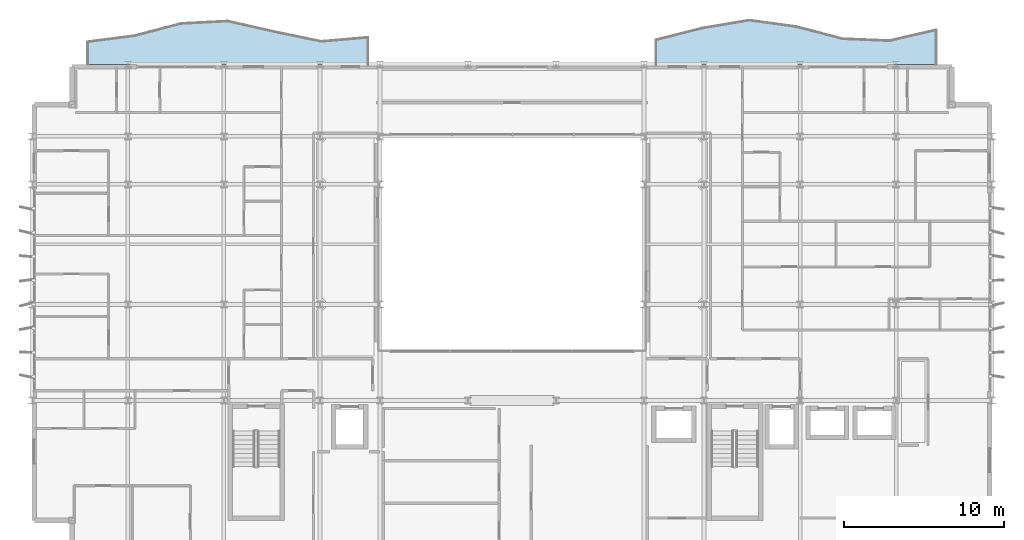
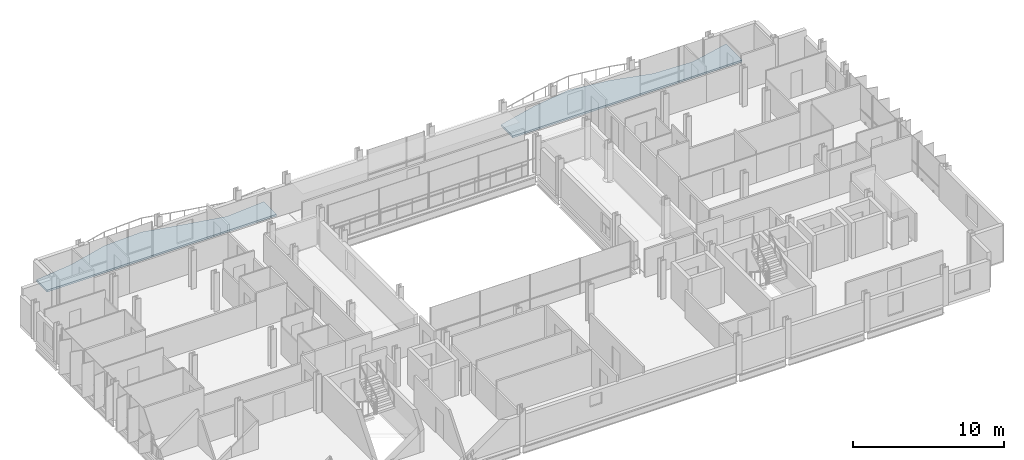
# One storey, part 27 of 38: 2 slabs.
"""IFC4 building model written with IfcOpenShell, lengths in metres."""

from ifc_helpers import new_model, si_unit, direction, frame, origin, place, context, subcontext, project, spatial, polyline, outline, extrude, material, layer, layer_set, type_object, element, save


model = new_model("IFC4")

# Units and contexts
model_context = context("Model", 3, precision=1e-05, world=origin(), true_north=direction((0.0, 1.0)))
body_context = subcontext(model_context, "Body", "Model", "MODEL_VIEW")
ifc_project = project(units=[si_unit("LENGTHUNIT", "METRE"), si_unit("AREAUNIT", "SQUARE_METRE"), si_unit("VOLUMEUNIT", "CUBIC_METRE"), si_unit("PLANEANGLEUNIT", "RADIAN"), si_unit("MASSUNIT", "GRAM", prefix="KILO")], contexts=[model_context])

# Site, building, storey
site_placement = place(None, origin())
site = spatial("IfcSite", under=ifc_project, at=site_placement, CompositionType="ELEMENT")
building_placement = place(site_placement, origin())
building = spatial("IfcBuilding", under=site, at=building_placement, Name="Brevholm Reach", CompositionType="ELEMENT")
storey_placement = place(building_placement, frame((0.0, 0.0, 141.800048828125)))
storey = spatial("IfcBuildingStorey", under=building, at=storey_placement, Name="L42", CompositionType="ELEMENT", Elevation=141.800048828125)

# Slabs
ifc_material = material(Name="Precast Concrete C45/55", Category="concrete")
ifc_layer = layer(ifc_material, 0.14990234375)
ifc_layer_set = layer_set([ifc_layer], Name="Precast Concrete C45/55")
slab_type = type_object("IfcSlabType", Name="SLB-BAL-150", PredefinedType="FLOOR", material=ifc_layer_set)
slab_1_placement = place(storey_placement, frame((0.0, 0.0, -0.150146484375)))
element("IfcSlab", 1, at=slab_1_placement, inside=storey, type_object=slab_type, Name="L42 Rippling External Balcony NE", PredefinedType="FLOOR", context=body_context, shape_type="SweptSolid", body=[
    extrude(outline(polyline([(39.0, 31.0), (56.5, 31.0), (56.5, 33.1455078125), (53.583251953125, 32.46826171875), (50.666748046875, 32.58935546875), (47.75, 33.349609375), (44.833251953125, 33.748291015625), (41.916748046875, 33.260986328125), (39.0, 32.52880859375), (39.0, 31.0)])), origin(), (0.0, 0.0, 1.0), 0.150146484375),
])
slab_2_placement = place(storey_placement, frame((0.0, 0.0, -0.150146484375)))
element("IfcSlab", 2, at=slab_2_placement, inside=storey, type_object=slab_type, Name="L42 Rippling External Balcony NW", PredefinedType="FLOOR", context=body_context, shape_type="SweptSolid", body=[
    extrude(outline(polyline([(3.5, 31.0), (21.0, 31.0), (21.0, 32.67822265625), (18.083251953125, 32.426025390625), (15.166748046875, 33.02783203125), (12.25, 33.691650390625), (9.333251953125, 33.5439453125), (6.416748046875, 32.779052734375), (3.5, 32.40380859375), (3.5, 31.0)])), origin(), (0.0, 0.0, 1.0), 0.150146484375),
])

save(model, "model.ifc")
